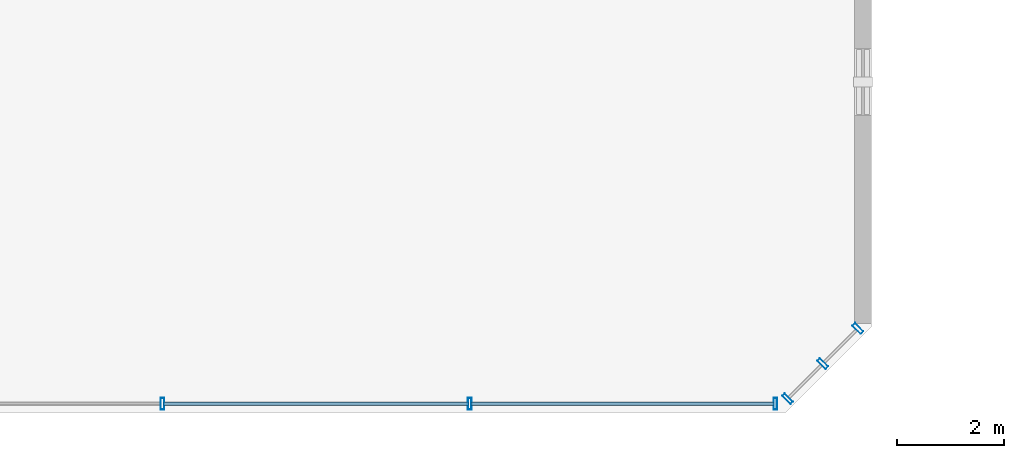
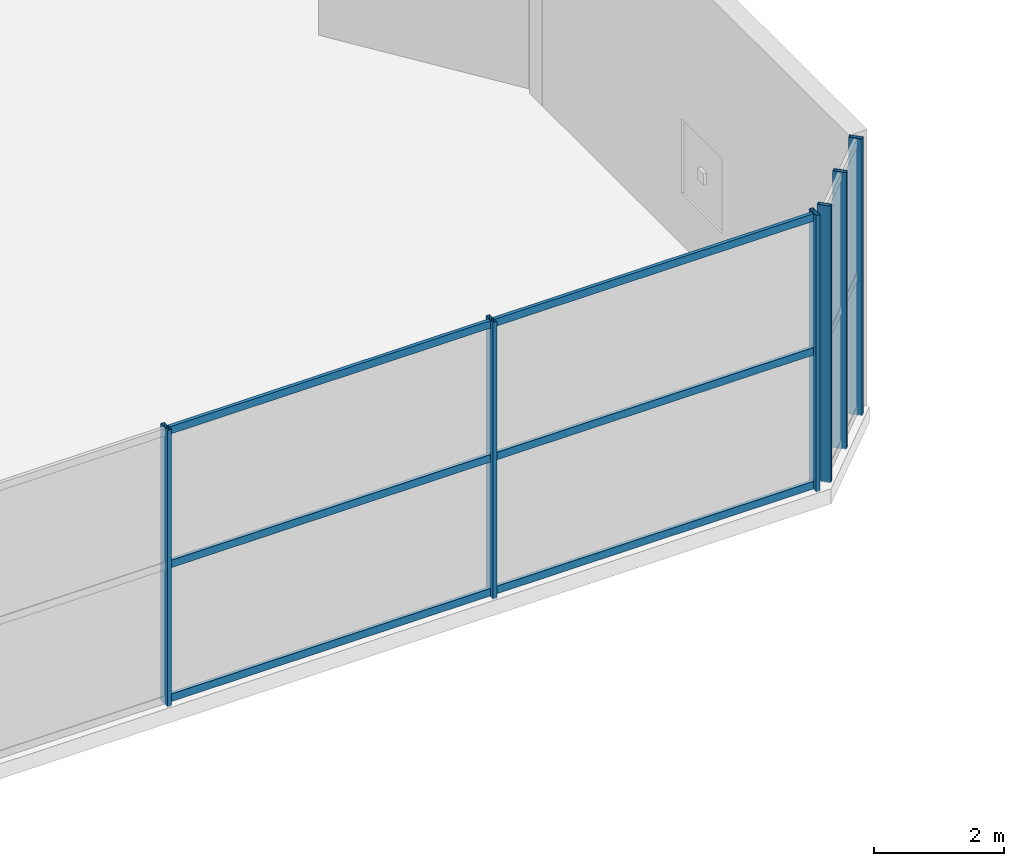
# One storey, part 6 of 21: 12 members, 2 elements without a shape of their own.
"""IFC4 building model written with IfcOpenShell, lengths in metres."""

from ifc_helpers import new_model, si_unit, direction, frame, origin, origin_2d, place, context, subcontext, project, spatial, hollow_rectangle, extrude, source, transform, mapped, material, material_profile, profile_set, type_object, element, aggregate, save


model = new_model("IFC4")

# Units and contexts
model_context = context("Model", 3, precision=1e-05, world=origin(), true_north=direction((0.0, 1.0)))
body_context = subcontext(model_context, "Body", "Model", "MODEL_VIEW")
ifc_project = project(units=[si_unit("LENGTHUNIT", "METRE"), si_unit("AREAUNIT", "SQUARE_METRE"), si_unit("VOLUMEUNIT", "CUBIC_METRE"), si_unit("PLANEANGLEUNIT", "RADIAN"), si_unit("MASSUNIT", "GRAM", prefix="KILO")], contexts=[model_context])

# Site, building, storey
site_placement = place(None, origin())
site = spatial("IfcSite", under=ifc_project, at=site_placement, CompositionType="ELEMENT")
building_placement = place(site_placement, origin())
building = spatial("IfcBuilding", under=site, at=building_placement, Name="Tlacorven Tower", CompositionType="ELEMENT")
storey_placement = place(building_placement, frame((0.0, 0.0, 84.60009765625)))
storey = spatial("IfcBuildingStorey", under=building, at=storey_placement, Name="L21", CompositionType="ELEMENT", Elevation=84.60009765625)

# Curtain wall, members
ifc_material_1 = material(Name="Dark solar low-E double glazing in aluminium frame", Category="aluminium")
curtain_wall_type = type_object("IfcCurtainWallType", Name="CW-TWR-LOW", PredefinedType="USERDEFINED", material=ifc_material_1)
curtain_wall_1_placement = place(storey_placement, origin())
curtain_wall_1 = element("IfcCurtainWall", 1, at=curtain_wall_1_placement, inside=storey, type_object=curtain_wall_type, Name="L21 CW-TWR-LOW Curtain Wall 112", ObjectType="UNITISED CURTAIN WALL", PredefinedType="USERDEFINED")
ifc_material_2 = material(Name="Aluminium 6063-T6 anodised", Category="aluminium")
ifc_material_profile_1 = material_profile(ifc_material_2, hollow_rectangle(XDim=0.06005859375, YDim=0.139892578125, WallThickness=0.00390625, at=origin_2d()), Name="ALU TRANSOM 60X140")
ifc_profile_set_1 = profile_set([ifc_material_profile_1], Name="Aluminium 6063-T6 anodised")
member_type_1 = type_object("IfcMemberType", Name="CWT-02", PredefinedType="USERDEFINED", material=ifc_profile_set_1)
shared_shape_1 = source(origin(), body_context, "Body", "SweptSolid", [
    extrude(hollow_rectangle(XDim=0.06005859375, YDim=0.139892578125, WallThickness=0.00390625, at=origin_2d()), origin(), (0.0, 0.0, 1.0), 5.6748046875),
])
member_1_placement = place(storey_placement, frame((50.57568359375, 1.9599609375, 0.06982421875), z_axis=(-1.0, 0.0, 0.0), x_axis=(0.0, -1.0, 0.0)))
member_1 = element("IfcMember", 2, at=member_1_placement, type_object=member_type_1, Name="CW-L21-112 Transom 1", ObjectType="TRANSOM", PredefinedType="USERDEFINED", context=body_context, shape_type="MappedRepresentation", body=[
    mapped(shared_shape_1, transform((0.0, 0.0, 0.0), scale=1.0)),
])
member_2_placement = place(storey_placement, frame((50.57568359375, 1.9599609375, 2.574951171875), z_axis=(-1.0, 0.0, 0.0), x_axis=(0.0, -1.0, 0.0)))
member_2 = element("IfcMember", 3, at=member_2_placement, type_object=member_type_1, Name="CW-L21-112 Transom 2", ObjectType="TRANSOM", PredefinedType="USERDEFINED", context=body_context, shape_type="MappedRepresentation", body=[
    mapped(shared_shape_1, transform((0.0, 0.0, 0.0), scale=1.0)),
])
member_3_placement = place(storey_placement, frame((50.57568359375, 1.9599609375, 5.079833984375), z_axis=(-1.0, 0.0, 0.0), x_axis=(0.0, -1.0, 0.0)))
member_3 = element("IfcMember", 4, at=member_3_placement, type_object=member_type_1, Name="CW-L21-112 Transom 3", ObjectType="TRANSOM", PredefinedType="USERDEFINED", context=body_context, shape_type="MappedRepresentation", body=[
    mapped(shared_shape_1, transform((0.0, 0.0, 0.0), scale=1.0)),
])
shared_shape_2 = source(origin(), body_context, "Body", "SweptSolid", [
    extrude(hollow_rectangle(XDim=0.06005859375, YDim=0.139892578125, WallThickness=0.00390625, at=origin_2d()), origin(), (0.0, 0.0, 1.0), 5.7099609375),
])
member_4_placement = place(storey_placement, frame((44.85498046875, 1.9599609375, 0.06982421875), z_axis=(-1.0, 0.0, 0.0), x_axis=(0.0, -1.0, 0.0)))
member_4 = element("IfcMember", 5, at=member_4_placement, type_object=member_type_1, Name="CW-L21-112 Transom 4", ObjectType="TRANSOM", PredefinedType="USERDEFINED", context=body_context, shape_type="MappedRepresentation", body=[
    mapped(shared_shape_2, transform((0.0, 0.0, 0.0), scale=1.0)),
])
member_5_placement = place(storey_placement, frame((44.85498046875, 1.9599609375, 2.574951171875), z_axis=(-1.0, 0.0, 0.0), x_axis=(0.0, -1.0, 0.0)))
member_5 = element("IfcMember", 6, at=member_5_placement, type_object=member_type_1, Name="CW-L21-112 Transom 5", ObjectType="TRANSOM", PredefinedType="USERDEFINED", context=body_context, shape_type="MappedRepresentation", body=[
    mapped(shared_shape_2, transform((0.0, 0.0, 0.0), scale=1.0)),
])
member_6_placement = place(storey_placement, frame((44.85498046875, 1.9599609375, 5.079833984375), z_axis=(-1.0, 0.0, 0.0), x_axis=(0.0, -1.0, 0.0)))
member_6 = element("IfcMember", 7, at=member_6_placement, type_object=member_type_1, Name="CW-L21-112 Transom 6", ObjectType="TRANSOM", PredefinedType="USERDEFINED", context=body_context, shape_type="MappedRepresentation", body=[
    mapped(shared_shape_2, transform((0.0, 0.0, 0.0), scale=1.0)),
])

curtain_wall_2_placement = place(storey_placement, origin())
curtain_wall_2 = element("IfcCurtainWall", 8, at=curtain_wall_2_placement, inside=storey, type_object=curtain_wall_type, Name="L21 CW-TWR-LOW Curtain Wall 111", ObjectType="UNITISED CURTAIN WALL", PredefinedType="USERDEFINED")
ifc_material_profile_2 = material_profile(ifc_material_2, hollow_rectangle(XDim=0.070068359375, YDim=0.219970703125, WallThickness=0.0048828125, at=origin_2d()), Name="ALU MULLION 70X220")
ifc_profile_set_2 = profile_set([ifc_material_profile_2], Name="Aluminium 6063-T6 anodised")
member_type_2 = type_object("IfcMemberType", Name="CWM-01", PredefinedType="MULLION", material=ifc_profile_set_2)
shared_shape_3 = source(origin(), body_context, "Body", "SweptSolid", [
    extrude(hollow_rectangle(XDim=0.070068359375, YDim=0.219970703125, WallThickness=0.0048828125, at=origin_2d()), origin(), (0.0, 0.0, 1.0), 5.179931640625),
])
member_7_placement = place(storey_placement, frame((52.14453125, 3.370849609375, -0.02001953125), z_axis=(0.0, 0.0, 1.0), x_axis=(-0.707106781187, -0.707106781187, 0.0)))
member_7 = element("IfcMember", 9, at=member_7_placement, type_object=member_type_2, Name="CW-L21-111 Mullion 1", PredefinedType="MULLION", context=body_context, shape_type="MappedRepresentation", body=[
    mapped(shared_shape_3, transform((0.0, 0.0, 0.0), scale=1.0)),
])
member_8_placement = place(storey_placement, frame((51.48681640625, 2.713134765625, -0.02001953125), z_axis=(0.0, 0.0, 1.0), x_axis=(-0.707106781187, -0.707106781187, 0.0)))
member_8 = element("IfcMember", 10, at=member_8_placement, type_object=member_type_2, Name="CW-L21-111 Mullion 2", PredefinedType="MULLION", context=body_context, shape_type="MappedRepresentation", body=[
    mapped(shared_shape_3, transform((0.0, 0.0, 0.0), scale=1.0)),
])
member_9_placement = place(storey_placement, frame((50.8291015625, 2.055419921875, -0.02001953125), z_axis=(0.0, 0.0, 1.0), x_axis=(-0.707106781187, -0.707106781187, 0.0)))
member_9 = element("IfcMember", 11, at=member_9_placement, type_object=member_type_2, Name="CW-L21-111 Mullion 3", PredefinedType="MULLION", context=body_context, shape_type="MappedRepresentation", body=[
    mapped(shared_shape_3, transform((0.0, 0.0, 0.0), scale=1.0)),
])
aggregate(curtain_wall_2, [member_7, member_8, member_9])

# Member
member_10_placement = place(storey_placement, frame((50.5986328125, 1.9599609375, -0.02001953125), z_axis=(0.0, 0.0, 1.0), x_axis=(-1.0, 0.0, 0.0)))
member_10 = element("IfcMember", 12, at=member_10_placement, type_object=member_type_2, Name="CW-L21-112 Mullion 1", PredefinedType="MULLION", context=body_context, shape_type="MappedRepresentation", body=[
    mapped(shared_shape_3, transform((0.0, 0.0, 0.0), scale=1.0)),
])

member_11_placement = place(storey_placement, frame((44.8779296875, 1.9599609375, -0.02001953125), z_axis=(0.0, 0.0, 1.0), x_axis=(-1.0, 0.0, 0.0)))
member_11 = element("IfcMember", 13, at=member_11_placement, type_object=member_type_2, Name="CW-L21-112 Mullion 2", PredefinedType="MULLION", context=body_context, shape_type="MappedRepresentation", body=[
    mapped(shared_shape_3, transform((0.0, 0.0, 0.0), scale=1.0)),
])

member_12_placement = place(storey_placement, frame((39.1220703125, 1.9599609375, -0.02001953125), z_axis=(0.0, 0.0, 1.0), x_axis=(-1.0, 0.0, 0.0)))
member_12 = element("IfcMember", 14, at=member_12_placement, type_object=member_type_2, Name="CW-L21-112 Mullion 3", PredefinedType="MULLION", context=body_context, shape_type="MappedRepresentation", body=[
    mapped(shared_shape_3, transform((0.0, 0.0, 0.0), scale=1.0)),
])

aggregate(curtain_wall_1, [member_10, member_11, member_12, member_1, member_2, member_3, member_4, member_5, member_6])

save(model, "model.ifc")
